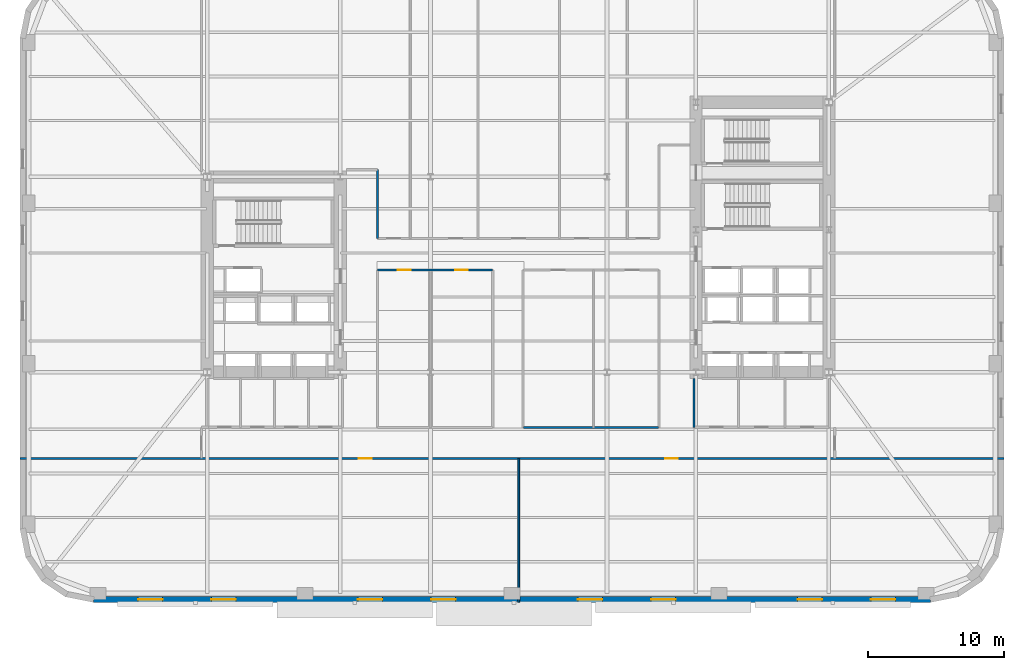
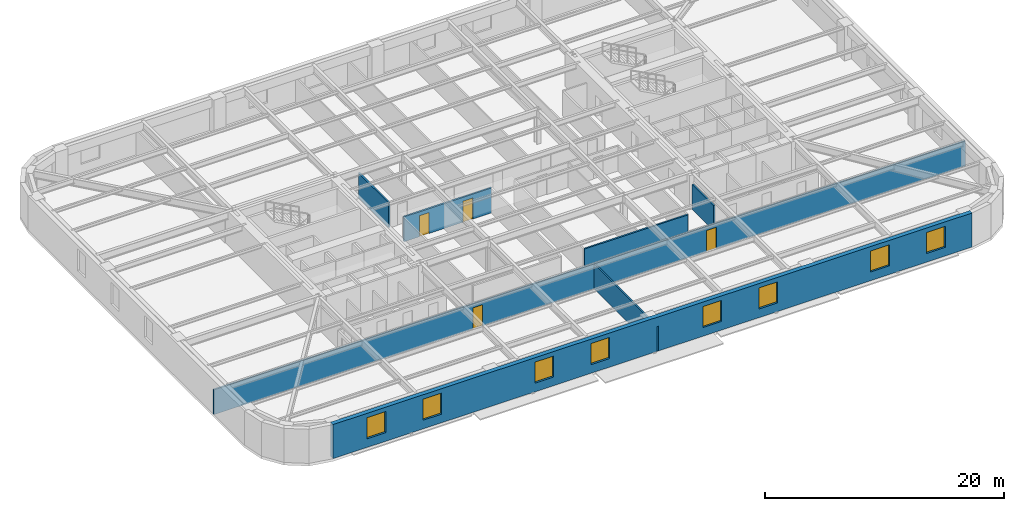
# One storey, part 5 of 14: 8 windows, 7 walls, 4 doors, 12 openings.
"""IFC4 building model written with IfcOpenShell, lengths in metres."""

from ifc_helpers import new_model, si_unit, direction, frame, frame_2d, origin, place, context, subcontext, project, spatial, rectangle, extrude, material, layer, layer_set, type_object, element, fill, save


model = new_model("IFC4")

# Units and contexts
model_context = context("Model", 3, precision=1e-05, world=origin(), true_north=direction((0.0, 1.0)))
body_context = subcontext(model_context, "Body", "Model", "MODEL_VIEW")
ifc_project = project(units=[si_unit("LENGTHUNIT", "METRE"), si_unit("AREAUNIT", "SQUARE_METRE"), si_unit("VOLUMEUNIT", "CUBIC_METRE"), si_unit("PLANEANGLEUNIT", "RADIAN"), si_unit("MASSUNIT", "GRAM", prefix="KILO")], contexts=[model_context])

# Site, building, storey
site_placement = place(None, origin())
site = spatial("IfcSite", under=ifc_project, at=site_placement, CompositionType="ELEMENT")
building_placement = place(site_placement, origin())
building = spatial("IfcBuilding", under=site, at=building_placement, Name="Kolvaren Arena Tower", CompositionType="ELEMENT")
storey_placement = place(building_placement, frame((0.0, 0.0, 87.0)))
storey = spatial("IfcBuildingStorey", under=building, at=storey_placement, Name="L19", CompositionType="ELEMENT", Elevation=87.0)

# Wall, openings, doors
ifc_material_1 = material(Name="Gypsum board acoustic assembly", Category="gypsum")
ifc_layer_1 = layer(ifc_material_1, 0.159912109375)
ifc_layer_set_1 = layer_set([ifc_layer_1], Name="Gypsum board acoustic assembly")
wall_type_1 = type_object("IfcWallType", Name="CORR-160", PredefinedType="PARTITIONING", material=ifc_layer_set_1)
wall_1_placement = place(storey_placement, frame((0.75, 13.10009765625, 0.0), z_axis=(0.0, 0.0, 1.0), x_axis=(1.0, 0.0, 0.0)))
wall_1 = element("IfcWall", 1, at=wall_1_placement, inside=storey, type_object=wall_type_1, Name="Interior Partition Wall (L19)", PredefinedType="PARTITIONING", context=body_context, shape_type="SweptSolid", body=[
    extrude(rectangle(XDim=72.5, YDim=0.159912109375, at=frame_2d((36.25, 0.0))), origin(), (0.0, 0.0, 1.0), 2.5400390625),
])
opening_1_placement = place(wall_1_placement, frame((24.97509765625, 0.0, 0.0)))
opening_1 = element("IfcOpeningElement", 2, at=opening_1_placement, cuts=wall_1, Name="Opening D05", PredefinedType="OPENING", context=body_context, shape_type="SweptSolid", body=[
    extrude(rectangle(XDim=0.949951171875, YDim=2.14990234375, at=frame_2d((0.47509765625, 1.074951171875))), frame((0.0, 0.08984375, 0.0), z_axis=(0.0, -1.0, 0.0), x_axis=(1.0, 0.0, 0.0)), (0.0, 0.0, 1.0), 0.179931640625),
])
opening_2_placement = place(wall_1_placement, frame((47.52490234375, 0.0, 0.0)))
opening_2 = element("IfcOpeningElement", 3, at=opening_2_placement, cuts=wall_1, Name="Opening D05", PredefinedType="OPENING", context=body_context, shape_type="SweptSolid", body=[
    extrude(rectangle(XDim=0.949951171875, YDim=2.14990234375, at=frame_2d((0.47509765625, 1.074951171875))), frame((0.0, 0.08984375, 0.0), z_axis=(0.0, -1.0, 0.0), x_axis=(1.0, 0.0, 0.0)), (0.0, 0.0, 1.0), 0.179931640625),
])
ifc_material_2 = material(Name="Solid-core oak acoustic office door", Category="wood")
door_type = type_object("IfcDoorType", Name="DOOR-OF-095", OperationType="NOTDEFINED", PredefinedType="DOOR", material=ifc_material_2)
door_1_placement = place(opening_1_placement, origin())
door_1 = element("IfcDoor", 4, at=door_1_placement, inside=storey, type_object=door_type, Name="Design Studio Door (L19)", OperationType="SINGLE_SWING_LEFT", OverallHeight=2.14990234375, OverallWidth=0.949951171875, PredefinedType="DOOR", context=body_context, shape_type="SweptSolid", body=[
    extrude(rectangle(XDim=0.949951171875, YDim=2.14990234375, at=frame_2d((0.47509765625, 1.074951171875))), frame((0.0, 0.02490234375, 0.0), z_axis=(0.0, -1.0, 0.0), x_axis=(1.0, 0.0, 0.0)), (0.0, 0.0, 1.0), 0.050048828125),
])
fill(opening_1, door_1)
door_2_placement = place(opening_2_placement, origin())
door_2 = element("IfcDoor", 5, at=door_2_placement, inside=storey, type_object=door_type, Name="Technical Engineering Office Door (L19)", OperationType="SINGLE_SWING_RIGHT", OverallHeight=2.14990234375, OverallWidth=0.949951171875, PredefinedType="DOOR", context=body_context, shape_type="SweptSolid", body=[
    extrude(rectangle(XDim=0.949951171875, YDim=2.14990234375, at=frame_2d((0.47509765625, 1.074951171875))), frame((0.0, 0.02490234375, 0.0), z_axis=(0.0, -1.0, 0.0), x_axis=(1.0, 0.0, 0.0)), (0.0, 0.0, 1.0), 0.050048828125),
])
fill(opening_2, door_2)

# Wall
wall_2_placement = place(storey_placement, frame((27.080078125, 29.320068359375, 0.0), z_axis=(0.0, 0.0, 1.0), x_axis=(0.0, 1.0, 0.0)))
element("IfcWall", 6, at=wall_2_placement, inside=storey, type_object=wall_type_1, Name="Interior Partition Wall (L19)", PredefinedType="PARTITIONING", context=body_context, shape_type="SweptSolid", body=[
    extrude(rectangle(XDim=5.059814453125, YDim=0.159912109375, at=frame_2d((2.52978515625, 0.0))), origin(), (0.0, 0.0, 1.0), 2.5400390625),
])

# Wall, openings, doors
wall_3_placement = place(storey_placement, frame((27.10009765625, 26.97998046875, 0.0), z_axis=(0.0, 0.0, 1.0), x_axis=(1.0, 0.0, 0.0)))
wall_3 = element("IfcWall", 7, at=wall_3_placement, inside=storey, type_object=wall_type_1, Name="Interior Partition Wall (L19)", PredefinedType="PARTITIONING", context=body_context, shape_type="SweptSolid", body=[
    extrude(rectangle(XDim=8.4599609375, YDim=0.159912109375, at=frame_2d((4.22998046875, 0.0))), origin(), (0.0, 0.0, 1.0), 2.5400390625),
])
opening_3_placement = place(wall_3_placement, frame((1.47509765625, 0.0, 0.0)))
opening_3 = element("IfcOpeningElement", 8, at=opening_3_placement, cuts=wall_3, Name="Opening D05", PredefinedType="OPENING", context=body_context, shape_type="SweptSolid", body=[
    extrude(rectangle(XDim=0.949951171875, YDim=2.14990234375, at=frame_2d((0.47509765625, 1.074951171875))), frame((0.0, 0.08984375, 0.0), z_axis=(0.0, -1.0, 0.0), x_axis=(1.0, 0.0, 0.0)), (0.0, 0.0, 1.0), 0.179931640625),
])
opening_4_placement = place(wall_3_placement, frame((5.705078125, 0.0, 0.0)))
opening_4 = element("IfcOpeningElement", 9, at=opening_4_placement, cuts=wall_3, Name="Opening D05", PredefinedType="OPENING", context=body_context, shape_type="SweptSolid", body=[
    extrude(rectangle(XDim=0.949951171875, YDim=2.14990234375, at=frame_2d((0.47509765625, 1.074951171875))), frame((0.0, 0.08984375, 0.0), z_axis=(0.0, -1.0, 0.0), x_axis=(1.0, 0.0, 0.0)), (0.0, 0.0, 1.0), 0.179931640625),
])
door_3_placement = place(opening_3_placement, origin())
door_3 = element("IfcDoor", 10, at=door_3_placement, inside=storey, type_object=door_type, Name="Training Seminar Room Door (L19)", OperationType="SINGLE_SWING_RIGHT", OverallHeight=2.14990234375, OverallWidth=0.949951171875, PredefinedType="DOOR", context=body_context, shape_type="SweptSolid", body=[
    extrude(rectangle(XDim=0.949951171875, YDim=2.14990234375, at=frame_2d((0.47509765625, 1.074951171875))), frame((0.0, 0.02490234375, 0.0), z_axis=(0.0, -1.0, 0.0), x_axis=(1.0, 0.0, 0.0)), (0.0, 0.0, 1.0), 0.050048828125),
])
fill(opening_3, door_3)
door_4_placement = place(opening_4_placement, origin())
door_4 = element("IfcDoor", 11, at=door_4_placement, inside=storey, type_object=door_type, Name="Design Studio Door (L19)", OperationType="SINGLE_SWING_LEFT", OverallHeight=2.14990234375, OverallWidth=0.949951171875, PredefinedType="DOOR", context=body_context, shape_type="SweptSolid", body=[
    extrude(rectangle(XDim=0.949951171875, YDim=2.14990234375, at=frame_2d((0.47509765625, 1.074951171875))), frame((0.0, 0.02490234375, 0.0), z_axis=(0.0, -1.0, 0.0), x_axis=(1.0, 0.0, 0.0)), (0.0, 0.0, 1.0), 0.050048828125),
])
fill(opening_4, door_4)

# Wall
wall_4_placement = place(storey_placement, frame((37.840087890625, 15.3798828125, 0.0), z_axis=(0.0, 0.0, 1.0), x_axis=(1.0, 0.0, 0.0)))
element("IfcWall", 12, at=wall_4_placement, inside=storey, type_object=wall_type_1, Name="Interior Partition Wall (L19)", PredefinedType="PARTITIONING", context=body_context, shape_type="SweptSolid", body=[
    extrude(rectangle(XDim=9.9599609375, YDim=0.159912109375, at=frame_2d((4.97998046875, 0.0))), origin(), (0.0, 0.0, 1.0), 2.5400390625),
])

# Wall, openings, windows
ifc_material_3 = material(Name="Precast concrete C50/60", Category="concrete")
ifc_layer_2 = layer(ifc_material_3, 0.419921875)
ifc_layer_set_2 = layer_set([ifc_layer_2], Name="Precast concrete C50/60")
wall_type_2 = type_object("IfcWallType", Name="EXT-PIER1", PredefinedType="SOLIDWALL", material=ifc_layer_set_2)
wall_5_placement = place(storey_placement, frame((67.85009765625, 2.7099609375, 0.0), z_axis=(0.0, 0.0, 1.0), x_axis=(-1.0, 0.0, 0.0)))
wall_5 = element("IfcWall", 13, at=wall_5_placement, inside=storey, type_object=wall_type_2, Name="Exterior Precast Masonry-Frame Wall (L19)", PredefinedType="SOLIDWALL", context=body_context, shape_type="SweptSolid", body=[
    extrude(rectangle(XDim=61.7001953125, YDim=0.419921875, at=frame_2d((30.85009765625, 0.0))), origin(), (0.0, 0.0, 1.0), 3.47998046875),
])
opening_5_placement = place(wall_5_placement, frame((2.60009765625, 0.0, 0.8798828125)))
opening_5 = element("IfcOpeningElement", 14, at=opening_5_placement, cuts=wall_5, Name="Opening W02", PredefinedType="OPENING", context=body_context, shape_type="SweptSolid", body=[
    extrude(rectangle(XDim=1.800048828125, YDim=2.14990234375, at=frame_2d((0.89990234375, 1.074951171875))), frame((0.0, 0.219970703125, 0.0), z_axis=(0.0, -1.0, 0.0), x_axis=(1.0, 0.0, 0.0)), (0.0, 0.0, 1.0), 0.43994140625),
])
opening_6_placement = place(wall_5_placement, frame((8.0, 0.0, 0.8798828125)))
opening_6 = element("IfcOpeningElement", 15, at=opening_6_placement, cuts=wall_5, Name="Opening W02", PredefinedType="OPENING", context=body_context, shape_type="SweptSolid", body=[
    extrude(rectangle(XDim=1.800048828125, YDim=2.14990234375, at=frame_2d((0.89990234375, 1.074951171875))), frame((0.0, 0.219970703125, 0.0), z_axis=(0.0, -1.0, 0.0), x_axis=(1.0, 0.0, 0.0)), (0.0, 0.0, 1.0), 0.43994140625),
])
opening_7_placement = place(wall_5_placement, frame((18.800048828125, 0.0, 0.8798828125)))
opening_7 = element("IfcOpeningElement", 16, at=opening_7_placement, cuts=wall_5, Name="Opening W02", PredefinedType="OPENING", context=body_context, shape_type="SweptSolid", body=[
    extrude(rectangle(XDim=1.800048828125, YDim=2.14990234375, at=frame_2d((0.89990234375, 1.074951171875))), frame((0.0, 0.219970703125, 0.0), z_axis=(0.0, -1.0, 0.0), x_axis=(1.0, 0.0, 0.0)), (0.0, 0.0, 1.0), 0.43994140625),
])
opening_8_placement = place(wall_5_placement, frame((24.199951171875, 0.0, 0.8798828125)))
opening_8 = element("IfcOpeningElement", 17, at=opening_8_placement, cuts=wall_5, Name="Opening W02", PredefinedType="OPENING", context=body_context, shape_type="SweptSolid", body=[
    extrude(rectangle(XDim=1.800048828125, YDim=2.14990234375, at=frame_2d((0.89990234375, 1.074951171875))), frame((0.0, 0.219970703125, 0.0), z_axis=(0.0, -1.0, 0.0), x_axis=(1.0, 0.0, 0.0)), (0.0, 0.0, 1.0), 0.43994140625),
])
opening_9_placement = place(wall_5_placement, frame((35.0, 0.0, 0.8798828125)))
opening_9 = element("IfcOpeningElement", 18, at=opening_9_placement, cuts=wall_5, Name="Opening W02", PredefinedType="OPENING", context=body_context, shape_type="SweptSolid", body=[
    extrude(rectangle(XDim=1.800048828125, YDim=2.14990234375, at=frame_2d((0.89990234375, 1.074951171875))), frame((0.0, 0.219970703125, 0.0), z_axis=(0.0, -1.0, 0.0), x_axis=(1.0, 0.0, 0.0)), (0.0, 0.0, 1.0), 0.43994140625),
])
opening_10_placement = place(wall_5_placement, frame((40.39990234375, 0.0, 0.8798828125)))
opening_10 = element("IfcOpeningElement", 19, at=opening_10_placement, cuts=wall_5, Name="Opening W02", PredefinedType="OPENING", context=body_context, shape_type="SweptSolid", body=[
    extrude(rectangle(XDim=1.800048828125, YDim=2.14990234375, at=frame_2d((0.89990234375, 1.074951171875))), frame((0.0, 0.219970703125, 0.0), z_axis=(0.0, -1.0, 0.0), x_axis=(1.0, 0.0, 0.0)), (0.0, 0.0, 1.0), 0.43994140625),
])
opening_11_placement = place(wall_5_placement, frame((51.199951171875, 0.0, 0.8798828125)))
opening_11 = element("IfcOpeningElement", 20, at=opening_11_placement, cuts=wall_5, Name="Opening W02", PredefinedType="OPENING", context=body_context, shape_type="SweptSolid", body=[
    extrude(rectangle(XDim=1.800048828125, YDim=2.14990234375, at=frame_2d((0.89990234375, 1.074951171875))), frame((0.0, 0.219970703125, 0.0), z_axis=(0.0, -1.0, 0.0), x_axis=(1.0, 0.0, 0.0)), (0.0, 0.0, 1.0), 0.43994140625),
])
opening_12_placement = place(wall_5_placement, frame((56.60009765625, 0.0, 0.8798828125)))
opening_12 = element("IfcOpeningElement", 21, at=opening_12_placement, cuts=wall_5, Name="Opening W02", PredefinedType="OPENING", context=body_context, shape_type="SweptSolid", body=[
    extrude(rectangle(XDim=1.800048828125, YDim=2.14990234375, at=frame_2d((0.89990234375, 1.074951171875))), frame((0.0, 0.219970703125, 0.0), z_axis=(0.0, -1.0, 0.0), x_axis=(1.0, 0.0, 0.0)), (0.0, 0.0, 1.0), 0.43994140625),
])
ifc_material_4 = material(Name="Triple-glazed low-E aluminium window", Category="aluminium")
window_type = type_object("IfcWindowType", Name="WIN-OFF-B", PartitioningType="DOUBLE_PANEL_VERTICAL", PredefinedType="WINDOW", material=ifc_material_4)
window_1_placement = place(opening_5_placement, origin())
window_1 = element("IfcWindow", 22, at=window_1_placement, inside=storey, type_object=window_type, Name="Punched Precast-Pier Window (L19)", OverallHeight=2.14990234375, OverallWidth=1.800048828125, PartitioningType="DOUBLE_PANEL_VERTICAL", PredefinedType="WINDOW", context=body_context, shape_type="SweptSolid", body=[
    extrude(rectangle(XDim=1.800048828125, YDim=2.14990234375, at=frame_2d((0.89990234375, 1.074951171875))), frame((0.0, 0.030029296875, 0.0), z_axis=(0.0, -1.0, 0.0), x_axis=(1.0, 0.0, 0.0)), (0.0, 0.0, 1.0), 0.06005859375),
])
fill(opening_5, window_1)
window_2_placement = place(opening_6_placement, origin())
window_2 = element("IfcWindow", 23, at=window_2_placement, inside=storey, type_object=window_type, Name="Punched Precast-Pier Window (L19)", OverallHeight=2.14990234375, OverallWidth=1.800048828125, PartitioningType="DOUBLE_PANEL_VERTICAL", PredefinedType="WINDOW", context=body_context, shape_type="SweptSolid", body=[
    extrude(rectangle(XDim=1.800048828125, YDim=2.14990234375, at=frame_2d((0.89990234375, 1.074951171875))), frame((0.0, 0.030029296875, 0.0), z_axis=(0.0, -1.0, 0.0), x_axis=(1.0, 0.0, 0.0)), (0.0, 0.0, 1.0), 0.06005859375),
])
fill(opening_6, window_2)
window_3_placement = place(opening_7_placement, origin())
window_3 = element("IfcWindow", 24, at=window_3_placement, inside=storey, type_object=window_type, Name="Punched Precast-Pier Window (L19)", OverallHeight=2.14990234375, OverallWidth=1.800048828125, PartitioningType="DOUBLE_PANEL_VERTICAL", PredefinedType="WINDOW", context=body_context, shape_type="SweptSolid", body=[
    extrude(rectangle(XDim=1.800048828125, YDim=2.14990234375, at=frame_2d((0.89990234375, 1.074951171875))), frame((0.0, 0.030029296875, 0.0), z_axis=(0.0, -1.0, 0.0), x_axis=(1.0, 0.0, 0.0)), (0.0, 0.0, 1.0), 0.06005859375),
])
fill(opening_7, window_3)
window_4_placement = place(opening_8_placement, origin())
window_4 = element("IfcWindow", 25, at=window_4_placement, inside=storey, type_object=window_type, Name="Punched Precast-Pier Window (L19)", OverallHeight=2.14990234375, OverallWidth=1.800048828125, PartitioningType="DOUBLE_PANEL_VERTICAL", PredefinedType="WINDOW", context=body_context, shape_type="SweptSolid", body=[
    extrude(rectangle(XDim=1.800048828125, YDim=2.14990234375, at=frame_2d((0.89990234375, 1.074951171875))), frame((0.0, 0.030029296875, 0.0), z_axis=(0.0, -1.0, 0.0), x_axis=(1.0, 0.0, 0.0)), (0.0, 0.0, 1.0), 0.06005859375),
])
fill(opening_8, window_4)
window_5_placement = place(opening_9_placement, origin())
window_5 = element("IfcWindow", 26, at=window_5_placement, inside=storey, type_object=window_type, Name="Punched Precast-Pier Window (L19)", OverallHeight=2.14990234375, OverallWidth=1.800048828125, PartitioningType="DOUBLE_PANEL_VERTICAL", PredefinedType="WINDOW", context=body_context, shape_type="SweptSolid", body=[
    extrude(rectangle(XDim=1.800048828125, YDim=2.14990234375, at=frame_2d((0.89990234375, 1.074951171875))), frame((0.0, 0.030029296875, 0.0), z_axis=(0.0, -1.0, 0.0), x_axis=(1.0, 0.0, 0.0)), (0.0, 0.0, 1.0), 0.06005859375),
])
fill(opening_9, window_5)
window_6_placement = place(opening_10_placement, origin())
window_6 = element("IfcWindow", 27, at=window_6_placement, inside=storey, type_object=window_type, Name="Punched Precast-Pier Window (L19)", OverallHeight=2.14990234375, OverallWidth=1.800048828125, PartitioningType="DOUBLE_PANEL_VERTICAL", PredefinedType="WINDOW", context=body_context, shape_type="SweptSolid", body=[
    extrude(rectangle(XDim=1.800048828125, YDim=2.14990234375, at=frame_2d((0.89990234375, 1.074951171875))), frame((0.0, 0.030029296875, 0.0), z_axis=(0.0, -1.0, 0.0), x_axis=(1.0, 0.0, 0.0)), (0.0, 0.0, 1.0), 0.06005859375),
])
fill(opening_10, window_6)
window_7_placement = place(opening_11_placement, origin())
window_7 = element("IfcWindow", 28, at=window_7_placement, inside=storey, type_object=window_type, Name="Punched Precast-Pier Window (L19)", OverallHeight=2.14990234375, OverallWidth=1.800048828125, PartitioningType="DOUBLE_PANEL_VERTICAL", PredefinedType="WINDOW", context=body_context, shape_type="SweptSolid", body=[
    extrude(rectangle(XDim=1.800048828125, YDim=2.14990234375, at=frame_2d((0.89990234375, 1.074951171875))), frame((0.0, 0.030029296875, 0.0), z_axis=(0.0, -1.0, 0.0), x_axis=(1.0, 0.0, 0.0)), (0.0, 0.0, 1.0), 0.06005859375),
])
fill(opening_11, window_7)
window_8_placement = place(opening_12_placement, origin())
window_8 = element("IfcWindow", 29, at=window_8_placement, inside=storey, type_object=window_type, Name="Punched Precast-Pier Window (L19)", OverallHeight=2.14990234375, OverallWidth=1.800048828125, PartitioningType="DOUBLE_PANEL_VERTICAL", PredefinedType="WINDOW", context=body_context, shape_type="SweptSolid", body=[
    extrude(rectangle(XDim=1.800048828125, YDim=2.14990234375, at=frame_2d((0.89990234375, 1.074951171875))), frame((0.0, 0.030029296875, 0.0), z_axis=(0.0, -1.0, 0.0), x_axis=(1.0, 0.0, 0.0)), (0.0, 0.0, 1.0), 0.06005859375),
])
fill(opening_12, window_8)

# Walls
ifc_material_5 = material(Name="Gypsum board partition assembly", Category="gypsum")
ifc_layer_3 = layer(ifc_material_5, 0.135009765625)
ifc_layer_set_3 = layer_set([ifc_layer_3], Name="Gypsum board partition assembly")
wall_type_3 = type_object("IfcWallType", Name="PART-135", PredefinedType="PARTITIONING", material=ifc_layer_set_3)
wall_6_placement = place(storey_placement, frame((37.5, 2.5, 0.0), z_axis=(0.0, 0.0, 1.0), x_axis=(0.0, 1.0, 0.0)))
element("IfcWall", 30, at=wall_6_placement, inside=storey, type_object=wall_type_3, Name="Interior Partition Wall (L19)", PredefinedType="PARTITIONING", context=body_context, shape_type="SweptSolid", body=[
    extrude(rectangle(XDim=10.60009765625, YDim=0.135009765625, at=frame_2d((5.300048828125, 0.0))), origin(), (0.0, 0.0, 1.0), 2.5400390625),
])
ifc_material_6 = material(Name="Moisture-resistant gypsum assembly", Category="gypsum")
ifc_layer_4 = layer(ifc_material_6, 0.14990234375)
ifc_layer_set_4 = layer_set([ifc_layer_4], Name="Moisture-resistant gypsum assembly")
wall_type_4 = type_object("IfcWallType", Name="WETW-150", PredefinedType="PARTITIONING", material=ifc_layer_set_4)
wall_7_placement = place(storey_placement, frame((50.39990234375, 15.39990234375, 0.0), z_axis=(0.0, 0.0, 1.0), x_axis=(0.0, 1.0, 0.0)))
element("IfcWall", 31, at=wall_7_placement, inside=storey, type_object=wall_type_4, Name="Interior Partition Wall (L19)", PredefinedType="PARTITIONING", context=body_context, shape_type="SweptSolid", body=[
    extrude(rectangle(XDim=3.580078125, YDim=0.14990234375, at=frame_2d((1.7900390625, 0.0))), origin(), (0.0, 0.0, 1.0), 2.5400390625),
])

save(model, "model.ifc")
